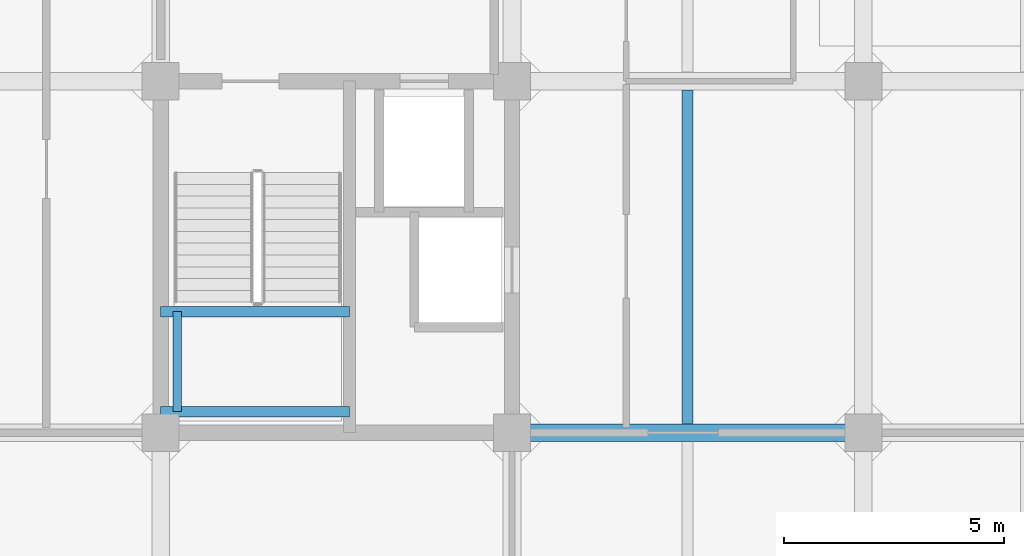
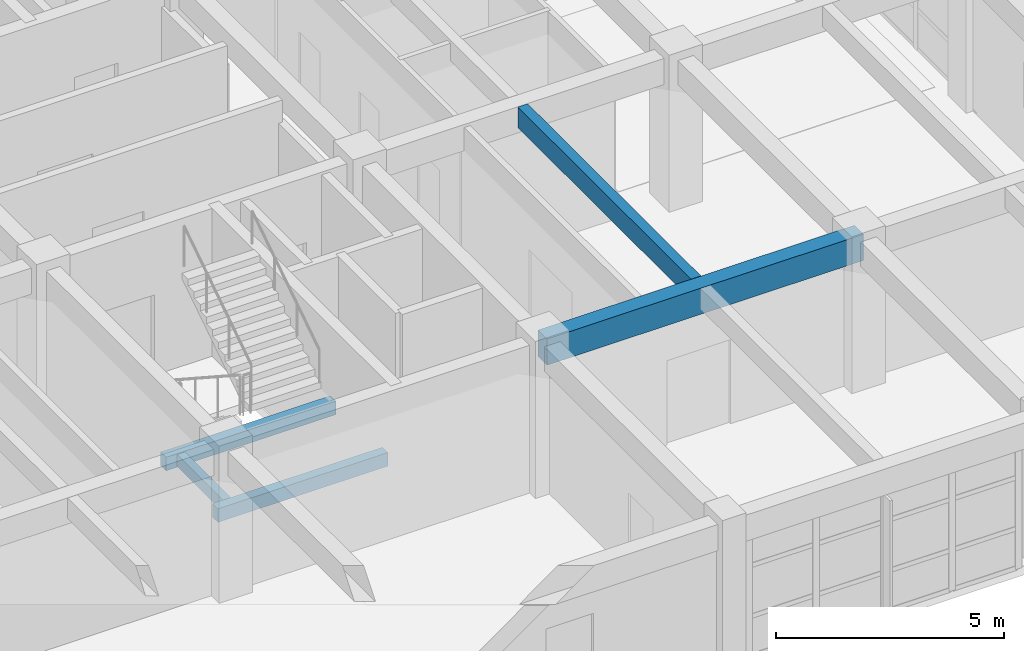
# One storey, part 6 of 27: 5 beams.
"""IFC4 building model written with IfcOpenShell, lengths in metres."""

from ifc_helpers import new_model, si_unit, direction, frame, origin, origin_2d, place, context, subcontext, project, spatial, rectangle, extrude, material, material_profile, profile_set, type_object, element, save


model = new_model("IFC4")

# Units and contexts
model_context = context("Model", 3, precision=1e-05, world=origin(), true_north=direction((0.0, 1.0)))
body_context = subcontext(model_context, "Body", "Model", "MODEL_VIEW")
ifc_project = project(units=[si_unit("LENGTHUNIT", "METRE"), si_unit("AREAUNIT", "SQUARE_METRE"), si_unit("VOLUMEUNIT", "CUBIC_METRE"), si_unit("PLANEANGLEUNIT", "RADIAN"), si_unit("MASSUNIT", "GRAM", prefix="KILO")], contexts=[model_context])

# Site, building, storey
site_placement = place(None, origin())
site = spatial("IfcSite", under=ifc_project, at=site_placement, CompositionType="ELEMENT")
building_placement = place(site_placement, origin())
building = spatial("IfcBuilding", under=site, at=building_placement, Name="Canggui Botanical Conservatory", CompositionType="ELEMENT")
storey_placement = place(building_placement, frame((0.0, 0.0, 31.800048828125)))
storey = spatial("IfcBuildingStorey", under=building, at=storey_placement, Name="L08", CompositionType="ELEMENT", Elevation=31.800048828125)

# Beams
ifc_material = material(Name="Concrete C35", Category="concrete")
ifc_material_profile_1 = material_profile(ifc_material, rectangle(XDim=0.25, YDim=0.550048828125, at=origin_2d()), Name="RB 250x550")
ifc_profile_set_1 = profile_set([ifc_material_profile_1], Name="Concrete C35")
beam_type_1 = type_object("IfcBeamType", Name="BM-JST03", PredefinedType="JOIST", material=ifc_profile_set_1)
beam_1_placement = place(storey_placement, frame((166.0, 42.205078125, 3.704833984375), z_axis=(0.0, 1.0, 0.0), x_axis=(-1.0, 0.0, 0.0)))
element("IfcBeam", 1, at=beam_1_placement, inside=storey, type_object=beam_type_1, Name="Secondary Floor Joist L08-4-2", PredefinedType="JOIST", context=body_context, shape_type="SweptSolid", body=[
    extrude(rectangle(XDim=0.25, YDim=0.550048828125, at=origin_2d()), origin(), (0.0, 0.0, 1.0), 7.58984375),
])
ifc_material_profile_2 = material_profile(ifc_material, rectangle(XDim=0.39990234375, YDim=0.699951171875, at=origin_2d()), Name="RB 400x700")
ifc_profile_set_2 = profile_set([ifc_material_profile_2], Name="Concrete C35")
beam_type_2 = type_object("IfcBeamType", Name="BM-KL11", PredefinedType="BEAM", material=ifc_profile_set_2)
beam_2_placement = place(storey_placement, frame((162.0, 42.0, 3.6298828125), z_axis=(1.0, 0.0, 0.0), x_axis=(0.0, 1.0, 0.0)))
element("IfcBeam", 2, at=beam_2_placement, inside=storey, type_object=beam_type_2, Name="Frame Girder L08 Y42-4", PredefinedType="BEAM", context=body_context, shape_type="SweptSolid", body=[
    extrude(rectangle(XDim=0.39990234375, YDim=0.699951171875, at=origin_2d()), origin(), (0.0, 0.0, 1.0), 8.0),
])
ifc_material_profile_3 = material_profile(ifc_material, rectangle(XDim=0.239990234375, YDim=0.360107421875, at=origin_2d()), Name="RB 240x360")
ifc_profile_set_3 = profile_set([ifc_material_profile_3], Name="Concrete C35")
beam_type_3 = type_object("IfcBeamType", Name="BM-LIN01", PredefinedType="LINTEL", material=ifc_profile_set_3)
for number, where, z_axis, x_axis, name in (
    (3, (154.0, 42.47998046875, 1.719970703125), (1.0, 0.0, 0.0), (0.0, 1.0, 0.0), "ST-T1 Half-Landing Ledger Beam L08-1.1"),
    (4, (154.0, 44.75244140625, 1.719970703125), (1.0, 0.0, 0.0), (0.0, 1.0, 0.0), "ST-T1 Half-Landing Ledger Beam L08-1.2"),
):
    element("IfcBeam", number, at=place(storey_placement, frame(where, z_axis=z_axis, x_axis=x_axis)), inside=storey, type_object=beam_type_3, Name=name, PredefinedType="LINTEL", context=body_context, shape_type="SweptSolid", body=[
        extrude(rectangle(XDim=0.239990234375, YDim=0.360107421875, at=origin_2d()), origin(), (0.0, 0.0, 1.0), 4.300048828125),
    ])
ifc_material_profile_4 = material_profile(ifc_material, rectangle(XDim=0.199951171875, YDim=0.320068359375, at=origin_2d()), Name="RB 200x320")
ifc_profile_set_4 = profile_set([ifc_material_profile_4], Name="Concrete C35")
beam_type_4 = type_object("IfcBeamType", Name="BM-LIN02", PredefinedType="LINTEL", material=ifc_profile_set_4)
beam_3_placement = place(storey_placement, frame((154.3798828125, 42.47998046875, 1.719970703125), z_axis=(0.0, 1.0, 0.0), x_axis=(-1.0, 0.0, 0.0)))
element("IfcBeam", 5, at=beam_3_placement, inside=storey, type_object=beam_type_4, Name="ST-T1 Half-Landing Edge Ledger L08-1.3", PredefinedType="LINTEL", context=body_context, shape_type="SweptSolid", body=[
    extrude(rectangle(XDim=0.199951171875, YDim=0.320068359375, at=origin_2d()), origin(), (0.0, 0.0, 1.0), 2.2724609375),
])

save(model, "model.ifc")
